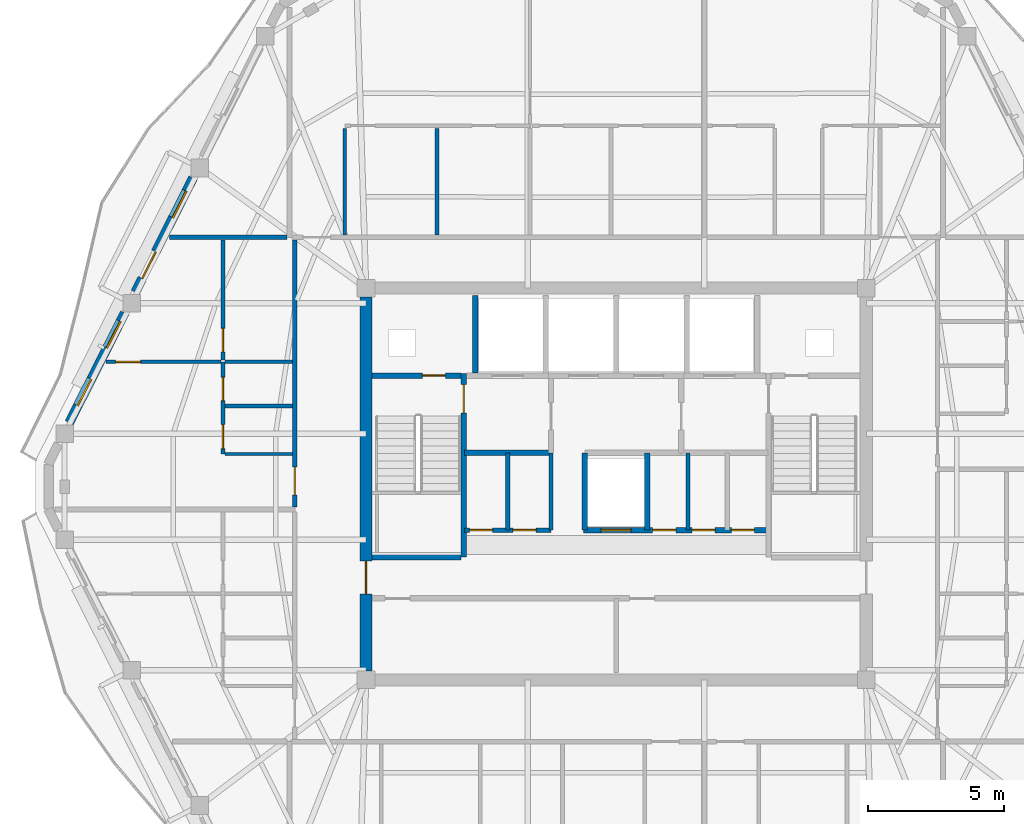
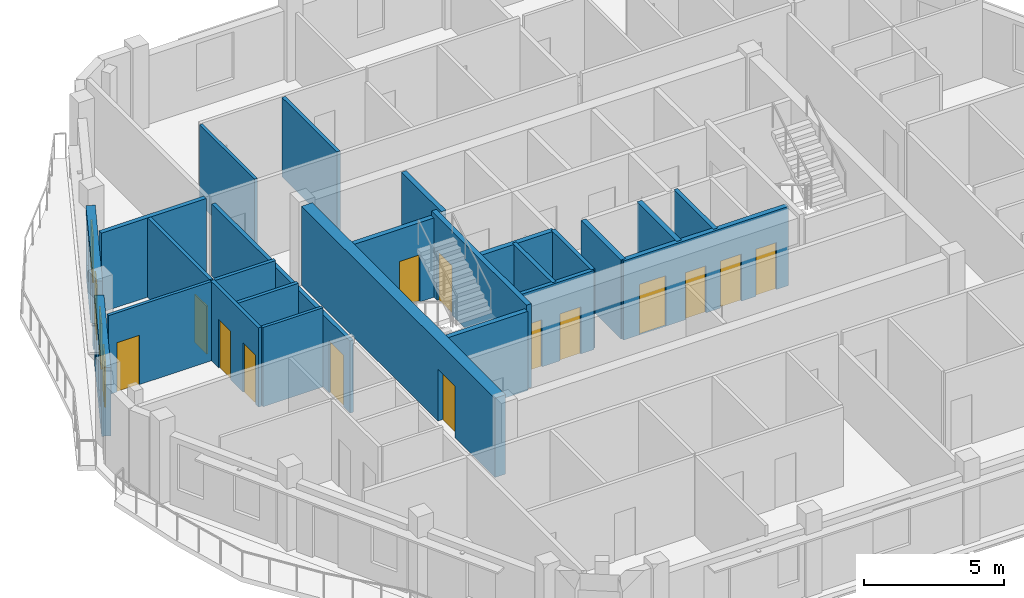
# One storey, part 5 of 11: 25 walls, 15 doors, 3 windows, 18 openings.
"""IFC4 building model written with IfcOpenShell, lengths in metres."""

from ifc_helpers import new_model, si_unit, direction, frame, frame_2d, origin, place, context, subcontext, project, spatial, rectangle, extrude, material, layer, layer_set, type_object, element, fill, save


model = new_model("IFC4")

# Units and contexts
model_context = context("Model", 3, precision=1e-05, world=origin(), true_north=direction((0.0, 1.0)))
body_context = subcontext(model_context, "Body", "Model", "MODEL_VIEW")
ifc_project = project(units=[si_unit("LENGTHUNIT", "METRE"), si_unit("AREAUNIT", "SQUARE_METRE"), si_unit("VOLUMEUNIT", "CUBIC_METRE"), si_unit("PLANEANGLEUNIT", "RADIAN"), si_unit("MASSUNIT", "GRAM", prefix="KILO")], contexts=[model_context])

# Site, building, storey
site_placement = place(None, origin())
site = spatial("IfcSite", under=ifc_project, at=site_placement, CompositionType="ELEMENT")
building_placement = place(site_placement, origin())
building = spatial("IfcBuilding", under=site, at=building_placement, Name="Cinnabar Lancet Tower", CompositionType="ELEMENT")
storey_placement = place(building_placement, frame((0.0, 0.0, 259.85009765625)))
storey = spatial("IfcBuildingStorey", under=building, at=storey_placement, Name="L69", CompositionType="ELEMENT", Elevation=259.85009765625)

# Wall, openings, doors
ifc_material_1 = material(Name="Acoustic twin-stud gypsum partition", Category="gypsum")
ifc_layer_1 = layer(ifc_material_1, 0.159912109375)
ifc_layer_set_1 = layer_set([ifc_layer_1], Name="Acoustic twin-stud gypsum partition")
wall_type_1 = type_object("IfcWallType", Name="ARC-WL-CORR-160", PredefinedType="PARTITIONING", material=ifc_layer_set_1)
wall_1_placement = place(storey_placement, frame((26.800048828125, 24.199951171875, 0.0), z_axis=(0.0, 0.0, 1.0), x_axis=(1.0, 0.0, 0.0)))
wall_1 = element("IfcWall", 1, at=wall_1_placement, inside=storey, type_object=wall_type_1, Name="CW-REC5S-L69", PredefinedType="PARTITIONING", context=body_context, shape_type="SweptSolid", body=[
    extrude(rectangle(XDim=3.199951171875, YDim=0.159912109375, at=frame_2d((1.60009765625, 0.0))), origin(), (0.0, 0.0, 1.0), 3.449951171875),
])
opening_1_placement = place(wall_1_placement, frame((0.199951171875, 0.0, 0.0)))
opening_1 = element("IfcOpeningElement", 2, at=opening_1_placement, cuts=wall_1, Name="Opening PD-02", PredefinedType="OPENING", context=body_context, shape_type="SweptSolid", body=[
    extrude(rectangle(XDim=0.85009765625, YDim=2.050048828125, at=frame_2d((0.425048828125, 1.02490234375))), frame((0.0, 0.08984375, 0.0), z_axis=(0.0, -1.0, 0.0), x_axis=(1.0, 0.0, 0.0)), (0.0, 0.0, 1.0), 0.179931640625),
])
opening_2_placement = place(wall_1_placement, frame((1.800048828125, 0.0, 0.0)))
opening_2 = element("IfcOpeningElement", 3, at=opening_2_placement, cuts=wall_1, Name="Opening PD-02", PredefinedType="OPENING", context=body_context, shape_type="SweptSolid", body=[
    extrude(rectangle(XDim=0.85009765625, YDim=2.050048828125, at=frame_2d((0.425048828125, 1.02490234375))), frame((0.0, 0.08984375, 0.0), z_axis=(0.0, -1.0, 0.0), x_axis=(1.0, 0.0, 0.0)), (0.0, 0.0, 1.0), 0.179931640625),
])
ifc_material_2 = material(Name="Fire-rated steel riser access door", Category="steel")
door_type_1 = type_object("IfcDoorType", Name="ARC-DR-RISER", OperationType="NOTDEFINED", PredefinedType="DOOR", material=ifc_material_2)
door_1_placement = place(opening_1_placement, origin())
door_1 = element("IfcDoor", 4, at=door_1_placement, inside=storey, type_object=door_type_1, Name="DR-L69-REC5A", OperationType="SINGLE_SWING_LEFT", OverallHeight=2.050048828125, OverallWidth=0.85009765625, PredefinedType="DOOR", context=body_context, shape_type="SweptSolid", body=[
    extrude(rectangle(XDim=0.85009765625, YDim=2.050048828125, at=frame_2d((0.425048828125, 1.02490234375))), frame((0.0, 0.02490234375, 0.0), z_axis=(0.0, -1.0, 0.0), x_axis=(1.0, 0.0, 0.0)), (0.0, 0.0, 1.0), 0.050048828125),
])
fill(opening_1, door_1)
door_2_placement = place(opening_2_placement, origin())
door_2 = element("IfcDoor", 5, at=door_2_placement, inside=storey, type_object=door_type_1, Name="DR-L69-REC5B", OperationType="SINGLE_SWING_RIGHT", OverallHeight=2.050048828125, OverallWidth=0.85009765625, PredefinedType="DOOR", context=body_context, shape_type="SweptSolid", body=[
    extrude(rectangle(XDim=0.85009765625, YDim=2.050048828125, at=frame_2d((0.425048828125, 1.02490234375))), frame((0.0, 0.02490234375, 0.0), z_axis=(0.0, -1.0, 0.0), x_axis=(1.0, 0.0, 0.0)), (0.0, 0.0, 1.0), 0.050048828125),
])
fill(opening_2, door_2)

# Walls
for number, where, z_axis, x_axis, name in (
    (6, (30.0, 24.199951171875, 0.0), (0.0, 0.0, 1.0), (0.0, 1.0, 0.0), "CW-REC5E-L69"),
    (7, (28.39990234375, 24.199951171875, 0.0), (0.0, 0.0, 1.0), (0.0, 1.0, 0.0), "CW-REC5D0-L69"),
    (8, (35.050048828125, 24.199951171875, 0.0), (0.0, 0.0, 1.0), (0.0, 1.0, 0.0), "CW-REC6D1-L69"),
):
    element("IfcWall", number, at=place(storey_placement, frame(where, z_axis=z_axis, x_axis=x_axis)), inside=storey, type_object=wall_type_1, Name=name, PredefinedType="PARTITIONING", context=body_context, shape_type="SweptSolid", body=[
        extrude(rectangle(XDim=2.85009765625, YDim=0.159912109375, at=frame_2d((1.425048828125, 0.0))), origin(), (0.0, 0.0, 1.0), 3.449951171875),
    ])

# Wall, opening, door
wall_2_placement = place(storey_placement, frame((20.550048828125, 25.051025390625, 0.0), z_axis=(0.0, 0.0, 1.0), x_axis=(0.0, 1.0, 0.0)))
wall_2 = element("IfcWall", 9, at=wall_2_placement, inside=storey, type_object=wall_type_1, Name="UW-L69-W02-COR", PredefinedType="PARTITIONING", context=body_context, shape_type="SweptSolid", body=[
    extrude(rectangle(XDim=9.85400390625, YDim=0.159912109375, at=frame_2d((4.927001953125, 0.0))), origin(), (0.0, 0.0, 1.0), 3.136962890625),
])
opening_3_placement = place(wall_2_placement, frame((0.449951171875, 0.0, 0.0)))
opening_3 = element("IfcOpeningElement", 10, at=opening_3_placement, cuts=wall_2, Name="Opening UD-01", PredefinedType="OPENING", context=body_context, shape_type="SweptSolid", body=[
    extrude(rectangle(XDim=1.02001953125, YDim=2.25, at=frame_2d((0.510009765625, 1.125))), frame((0.0, 0.08984375, 0.0), z_axis=(0.0, -1.0, 0.0), x_axis=(1.0, 0.0, 0.0)), (0.0, 0.0, 1.0), 0.179931640625),
])
ifc_material_3 = material(Name="Solid timber fire-rated apartment entrance door", Category="wood")
door_type_2 = type_object("IfcDoorType", Name="ARC-DR-UNIT", OperationType="NOTDEFINED", PredefinedType="DOOR", material=ifc_material_3)
door_3_placement = place(opening_3_placement, origin())
door_3 = element("IfcDoor", 11, at=door_3_placement, inside=storey, type_object=door_type_2, Name="DR-L69-W02-ENT", OperationType="SINGLE_SWING_LEFT", OverallHeight=2.25, OverallWidth=1.02001953125, PredefinedType="DOOR", context=body_context, shape_type="SweptSolid", body=[
    extrude(rectangle(XDim=1.02001953125, YDim=2.25, at=frame_2d((0.510009765625, 1.125))), frame((0.0, 0.02490234375, 0.0), z_axis=(0.0, -1.0, 0.0), x_axis=(1.0, 0.0, 0.0)), (0.0, 0.0, 1.0), 0.050048828125),
])
fill(opening_3, door_3)

# Walls
ifc_material_4 = material(Name="Fire-rated twin-frame acoustic drywall", Category="gypsum")
ifc_layer_2 = layer(ifc_material_4, 0.179931640625)
ifc_layer_set_2 = layer_set([ifc_layer_2], Name="Fire-rated twin-frame acoustic drywall")
wall_type_2 = type_object("IfcWallType", Name="ARC-WL-PARTY-180", PredefinedType="PARTITIONING", material=ifc_layer_set_2)
wall_3_placement = place(storey_placement, frame((15.93310546875, 35.0, 0.0), z_axis=(0.0, 0.0, 1.0), x_axis=(1.0, 0.0, 0.0)))
element("IfcWall", 12, at=wall_3_placement, inside=storey, type_object=wall_type_2, Name="PW-L69-WNB", PredefinedType="PARTITIONING", context=body_context, shape_type="SweptSolid", body=[
    extrude(rectangle(XDim=4.32177734375, YDim=0.179931640625, at=frame_2d((2.160888671875, 0.0))), origin(), (0.0, 0.0, 1.0), 3.449951171875),
])
ifc_material_5 = material(Name="Autoclaved aerated concrete blockwork", Category="masonry")
ifc_layer_3 = layer(ifc_material_5, 0.199951171875)
ifc_layer_set_3 = layer_set([ifc_layer_3], Name="Autoclaved aerated concrete blockwork")
wall_type_3 = type_object("IfcWallType", Name="ARC-WL-SHAFT-200", PredefinedType="PLUMBINGWALL", material=ifc_layer_set_3)
wall_4_placement = place(storey_placement, frame((23.405029296875, 23.199951171875, 0.0), z_axis=(0.0, 0.0, 1.0), x_axis=(1.0, 0.0, 0.0)))
element("IfcWall", 13, at=wall_4_placement, inside=storey, type_object=wall_type_3, Name="CW-ST1S-L69", PredefinedType="PLUMBINGWALL", context=body_context, shape_type="SweptSolid", body=[
    extrude(rectangle(XDim=3.27001953125, YDim=0.199951171875, at=frame_2d((1.635009765625, 0.0))), origin(), (0.0, 0.0, 1.0), 3.449951171875),
])

# Wall, opening, door
wall_5_placement = place(storey_placement, frame((23.405029296875, 29.89990234375, 0.0), z_axis=(0.0, 0.0, 1.0), x_axis=(1.0, 0.0, 0.0)))
wall_5 = element("IfcWall", 14, at=wall_5_placement, inside=storey, type_object=wall_type_3, Name="CW-NSH-W-L69", PredefinedType="PLUMBINGWALL", context=body_context, shape_type="SweptSolid", body=[
    extrude(rectangle(XDim=3.27001953125, YDim=0.199951171875, at=frame_2d((1.635009765625, 0.0))), origin(), (0.0, 0.0, 1.0), 3.449951171875),
])
opening_4_placement = place(wall_5_placement, frame((1.85009765625, 0.0, 0.0)))
opening_4 = element("IfcOpeningElement", 15, at=opening_4_placement, cuts=wall_5, Name="Opening PD-02", PredefinedType="OPENING", context=body_context, shape_type="SweptSolid", body=[
    extrude(rectangle(XDim=0.85009765625, YDim=2.050048828125, at=frame_2d((0.425048828125, 1.02490234375))), frame((0.0, 0.10986328125, 0.0), z_axis=(0.0, -1.0, 0.0), x_axis=(1.0, 0.0, 0.0)), (0.0, 0.0, 1.0), 0.219970703125),
])
door_4_placement = place(opening_4_placement, origin())
door_4 = element("IfcDoor", 16, at=door_4_placement, inside=storey, type_object=door_type_1, Name="L69 West Riser Access Door", OperationType="SINGLE_SWING_LEFT", OverallHeight=2.050048828125, OverallWidth=0.85009765625, PredefinedType="DOOR", context=body_context, shape_type="SweptSolid", body=[
    extrude(rectangle(XDim=0.85009765625, YDim=2.050048828125, at=frame_2d((0.425048828125, 1.02490234375))), frame((0.0, 0.02490234375, 0.0), z_axis=(0.0, -1.0, 0.0), x_axis=(1.0, 0.0, 0.0)), (0.0, 0.0, 1.0), 0.050048828125),
])
fill(opening_4, door_4)

# Walls
wall_6_placement = place(storey_placement, frame((27.199951171875, 30.0, 0.0), z_axis=(0.0, 0.0, 1.0), x_axis=(0.0, 1.0, 0.0)))
element("IfcWall", 17, at=wall_6_placement, inside=storey, type_object=wall_type_3, Name="CW-NSH-D1-L69", PredefinedType="PLUMBINGWALL", context=body_context, shape_type="SweptSolid", body=[
    extrude(rectangle(XDim=2.85009765625, YDim=0.199951171875, at=frame_2d((1.425048828125, 0.0))), origin(), (0.0, 0.0, 1.0), 3.449951171875),
])
wall_7_placement = place(storey_placement, frame((26.800048828125, 27.050048828125, 0.0), z_axis=(0.0, 0.0, 1.0), x_axis=(1.0, 0.0, 0.0)))
element("IfcWall", 18, at=wall_7_placement, inside=storey, type_object=wall_type_3, Name="CW-FF1S-L69", PredefinedType="PLUMBINGWALL", context=body_context, shape_type="SweptSolid", body=[
    extrude(rectangle(XDim=3.199951171875, YDim=0.199951171875, at=frame_2d((1.60009765625, 0.0))), origin(), (0.0, 0.0, 1.0), 3.449951171875),
])

# Wall, openings, doors
wall_8_placement = place(storey_placement, frame((31.199951171875, 24.199951171875, 0.0), z_axis=(0.0, 0.0, 1.0), x_axis=(1.0, 0.0, 0.0)))
wall_8 = element("IfcWall", 19, at=wall_8_placement, inside=storey, type_object=wall_type_3, Name="CW-PL96S-L69", PredefinedType="PLUMBINGWALL", context=body_context, shape_type="SweptSolid", body=[
    extrude(rectangle(XDim=6.800048828125, YDim=0.199951171875, at=frame_2d((3.39990234375, 0.0))), origin(), (0.0, 0.0, 1.0), 3.449951171875),
])
opening_5_placement = place(wall_8_placement, frame((0.64990234375, 0.0, 0.0)))
opening_5 = element("IfcOpeningElement", 20, at=opening_5_placement, cuts=wall_8, Name="Opening LD-01", PredefinedType="OPENING", context=body_context, shape_type="SweptSolid", body=[
    extrude(rectangle(XDim=1.10009765625, YDim=2.199951171875, at=frame_2d((0.550048828125, 1.10009765625))), frame((0.0, 0.10986328125, 0.0), z_axis=(0.0, -1.0, 0.0), x_axis=(1.0, 0.0, 0.0)), (0.0, 0.0, 1.0), 0.219970703125),
])
opening_6_placement = place(wall_8_placement, frame((2.550048828125, 0.0, 0.0)))
opening_6 = element("IfcOpeningElement", 21, at=opening_6_placement, cuts=wall_8, Name="Opening PD-02", PredefinedType="OPENING", context=body_context, shape_type="SweptSolid", body=[
    extrude(rectangle(XDim=0.85009765625, YDim=2.050048828125, at=frame_2d((0.425048828125, 1.02490234375))), frame((0.0, 0.10986328125, 0.0), z_axis=(0.0, -1.0, 0.0), x_axis=(1.0, 0.0, 0.0)), (0.0, 0.0, 1.0), 0.219970703125),
])
opening_7_placement = place(wall_8_placement, frame((4.0, 0.0, 0.0)))
opening_7 = element("IfcOpeningElement", 22, at=opening_7_placement, cuts=wall_8, Name="Opening PD-02", PredefinedType="OPENING", context=body_context, shape_type="SweptSolid", body=[
    extrude(rectangle(XDim=0.85009765625, YDim=2.050048828125, at=frame_2d((0.425048828125, 1.02490234375))), frame((0.0, 0.10986328125, 0.0), z_axis=(0.0, -1.0, 0.0), x_axis=(1.0, 0.0, 0.0)), (0.0, 0.0, 1.0), 0.219970703125),
])
opening_8_placement = place(wall_8_placement, frame((5.449951171875, 0.0, 0.0)))
opening_8 = element("IfcOpeningElement", 23, at=opening_8_placement, cuts=wall_8, Name="Opening PD-02", PredefinedType="OPENING", context=body_context, shape_type="SweptSolid", body=[
    extrude(rectangle(XDim=0.85009765625, YDim=2.050048828125, at=frame_2d((0.425048828125, 1.02490234375))), frame((0.0, 0.10986328125, 0.0), z_axis=(0.0, -1.0, 0.0), x_axis=(1.0, 0.0, 0.0)), (0.0, 0.0, 1.0), 0.219970703125),
])
ifc_material_6 = material(Name="Brushed stainless steel sliding lift door", Category="steel")
door_type_3 = type_object("IfcDoorType", Name="ARC-DR-LD-PASS", OperationType="NOTDEFINED", PredefinedType="DOOR", material=ifc_material_6)
door_5_placement = place(opening_5_placement, origin())
door_5 = element("IfcDoor", 24, at=door_5_placement, inside=storey, type_object=door_type_3, Name="L69 Lift PL-9 Landing Door", OperationType="DOUBLE_DOOR_SLIDING", OverallHeight=2.199951171875, OverallWidth=1.10009765625, PredefinedType="DOOR", context=body_context, shape_type="SweptSolid", body=[
    extrude(rectangle(XDim=1.10009765625, YDim=2.199951171875, at=frame_2d((0.550048828125, 1.10009765625))), frame((0.0, 0.02490234375, 0.0), z_axis=(0.0, -1.0, 0.0), x_axis=(1.0, 0.0, 0.0)), (0.0, 0.0, 1.0), 0.050048828125),
])
fill(opening_5, door_5)
door_6_placement = place(opening_6_placement, origin())
door_6 = element("IfcDoor", 25, at=door_6_placement, inside=storey, type_object=door_type_1, Name="DR-L69-REC6A", OperationType="SINGLE_SWING_LEFT", OverallHeight=2.050048828125, OverallWidth=0.85009765625, PredefinedType="DOOR", context=body_context, shape_type="SweptSolid", body=[
    extrude(rectangle(XDim=0.85009765625, YDim=2.050048828125, at=frame_2d((0.425048828125, 1.02490234375))), frame((0.0, 0.02490234375, 0.0), z_axis=(0.0, -1.0, 0.0), x_axis=(1.0, 0.0, 0.0)), (0.0, 0.0, 1.0), 0.050048828125),
])
fill(opening_6, door_6)
door_7_placement = place(opening_7_placement, origin())
door_7 = element("IfcDoor", 26, at=door_7_placement, inside=storey, type_object=door_type_1, Name="DR-L69-REC6B", OperationType="SINGLE_SWING_RIGHT", OverallHeight=2.050048828125, OverallWidth=0.85009765625, PredefinedType="DOOR", context=body_context, shape_type="SweptSolid", body=[
    extrude(rectangle(XDim=0.85009765625, YDim=2.050048828125, at=frame_2d((0.425048828125, 1.02490234375))), frame((0.0, 0.02490234375, 0.0), z_axis=(0.0, -1.0, 0.0), x_axis=(1.0, 0.0, 0.0)), (0.0, 0.0, 1.0), 0.050048828125),
])
fill(opening_7, door_7)
door_8_placement = place(opening_8_placement, origin())
door_8 = element("IfcDoor", 27, at=door_8_placement, inside=storey, type_object=door_type_1, Name="DR-L69-REC6C", OperationType="SINGLE_SWING_LEFT", OverallHeight=2.050048828125, OverallWidth=0.85009765625, PredefinedType="DOOR", context=body_context, shape_type="SweptSolid", body=[
    extrude(rectangle(XDim=0.85009765625, YDim=2.050048828125, at=frame_2d((0.425048828125, 1.02490234375))), frame((0.0, 0.02490234375, 0.0), z_axis=(0.0, -1.0, 0.0), x_axis=(1.0, 0.0, 0.0)), (0.0, 0.0, 1.0), 0.050048828125),
])
fill(opening_8, door_8)

# Walls
for number, where, z_axis, x_axis, name in (
    (28, (31.25, 24.199951171875, 0.0), (0.0, 0.0, 1.0), (0.0, 1.0, 0.0), "CW-PL9W-L69"),
    (29, (33.550048828125, 24.199951171875, 0.0), (0.0, 0.0, 1.0), (0.0, 1.0, 0.0), "CW-PL9E-L69"),
):
    element("IfcWall", number, at=place(storey_placement, frame(where, z_axis=z_axis, x_axis=x_axis)), inside=storey, type_object=wall_type_3, Name=name, PredefinedType="PLUMBINGWALL", context=body_context, shape_type="SweptSolid", body=[
        extrude(rectangle(XDim=2.85009765625, YDim=0.199951171875, at=frame_2d((1.425048828125, 0.0))), origin(), (0.0, 0.0, 1.0), 3.449951171875),
    ])
ifc_material_7 = material(Name="Gypsum plasterboard stud partition", Category="gypsum")
ifc_layer_4 = layer(ifc_material_7, 0.125)
ifc_layer_set_4 = layer_set([ifc_layer_4], Name="Gypsum plasterboard stud partition")
wall_type_4 = type_object("IfcWallType", Name="ARC-WL-UNIT-125", PredefinedType="PARTITIONING", material=ifc_layer_set_4)
wall_9_placement = place(storey_placement, frame((22.39990234375, 35.0849609375, 0.0), z_axis=(0.0, 0.0, 1.0), x_axis=(0.0, 1.0, 0.0)))
element("IfcWall", 30, at=wall_9_placement, inside=storey, type_object=wall_type_4, Name="UW-L69-N01-FOYE", PredefinedType="PARTITIONING", context=body_context, shape_type="SweptSolid", body=[
    extrude(rectangle(XDim=3.925048828125, YDim=0.125, at=frame_2d((1.96240234375, 0.0))), origin(), (0.0, 0.0, 1.0), 3.449951171875),
])
wall_10_placement = place(storey_placement, frame((17.985107421875, 27.006103515625, 0.0), z_axis=(0.0, 0.0, 1.0), x_axis=(1.0, 0.0, 0.0)))
element("IfcWall", 31, at=wall_10_placement, inside=storey, type_object=wall_type_4, Name="UW-L69-W02-FOYN", PredefinedType="PARTITIONING", context=body_context, shape_type="SweptSolid", body=[
    extrude(rectangle(XDim=2.47998046875, YDim=0.125, at=frame_2d((1.239990234375, 0.0))), origin(), (0.0, 0.0, 1.0), 3.449951171875),
])

# Wall, opening, door
wall_11_placement = place(storey_placement, frame((13.593994140625, 30.406005859375, 0.0), z_axis=(0.0, 0.0, 1.0), x_axis=(1.0, 0.0, 0.0)))
wall_11 = element("IfcWall", 32, at=wall_11_placement, inside=storey, type_object=wall_type_4, Name="UW-L69-W02-MBN", PredefinedType="PARTITIONING", context=body_context, shape_type="SweptSolid", body=[
    extrude(rectangle(XDim=4.23095703125, YDim=0.125, at=frame_2d((2.115478515625, 0.0))), origin(), (0.0, 0.0, 1.0), 3.449951171875),
])
opening_9_placement = place(wall_11_placement, frame((0.35009765625, 0.0, 0.0)))
opening_9 = element("IfcOpeningElement", 33, at=opening_9_placement, cuts=wall_11, Name="Opening RD-01", PredefinedType="OPENING", context=body_context, shape_type="SweptSolid", body=[
    extrude(rectangle(XDim=0.919921875, YDim=2.14990234375, at=frame_2d((0.4599609375, 1.074951171875))), frame((0.0, 0.072509765625, 0.0), z_axis=(0.0, -1.0, 0.0), x_axis=(1.0, 0.0, 0.0)), (0.0, 0.0, 1.0), 0.14501953125),
])
ifc_material_8 = material(Name="Engineered timber bedroom door", Category="wood")
door_type_4 = type_object("IfcDoorType", Name="ARC-DR-ROOM", OperationType="NOTDEFINED", PredefinedType="DOOR", material=ifc_material_8)
door_9_placement = place(opening_9_placement, origin())
door_9 = element("IfcDoor", 34, at=door_9_placement, inside=storey, type_object=door_type_4, Name="DR-L69-W02-MBD", OperationType="SINGLE_SWING_LEFT", OverallHeight=2.14990234375, OverallWidth=0.919921875, PredefinedType="DOOR", context=body_context, shape_type="SweptSolid", body=[
    extrude(rectangle(XDim=0.919921875, YDim=2.14990234375, at=frame_2d((0.4599609375, 1.074951171875))), frame((0.0, 0.02490234375, 0.0), z_axis=(0.0, -1.0, 0.0), x_axis=(1.0, 0.0, 0.0)), (0.0, 0.0, 1.0), 0.050048828125),
])
fill(opening_9, door_9)

# Wall
ifc_material_9 = material(Name="Moisture-resistant cement-board plumbing wall", Category="masonry")
ifc_layer_5 = layer(ifc_material_9, 0.139892578125)
ifc_layer_set_5 = layer_set([ifc_layer_5], Name="Moisture-resistant cement-board plumbing wall")
wall_type_5 = type_object("IfcWallType", Name="ARC-WL-WET-140", PredefinedType="PLUMBINGWALL", material=ifc_layer_set_5)
wall_12_placement = place(storey_placement, frame((25.800048828125, 35.0849609375, 0.0), z_axis=(0.0, 0.0, 1.0), x_axis=(0.0, 1.0, 0.0)))
element("IfcWall", 35, at=wall_12_placement, inside=storey, type_object=wall_type_5, Name="UW-L69-N01-KBD", PredefinedType="PLUMBINGWALL", context=body_context, shape_type="SweptSolid", body=[
    extrude(rectangle(XDim=3.925048828125, YDim=0.139892578125, at=frame_2d((1.96240234375, 0.0))), origin(), (0.0, 0.0, 1.0), 3.449951171875),
])

# Wall, openings, doors
wall_13_placement = place(storey_placement, frame((17.89990234375, 27.006103515625, 0.0), z_axis=(0.0, 0.0, 1.0), x_axis=(0.0, 1.0, 0.0)))
wall_13 = element("IfcWall", 36, at=wall_13_placement, inside=storey, type_object=wall_type_5, Name="UW-L69-W02-SPL", PredefinedType="PLUMBINGWALL", context=body_context, shape_type="SweptSolid", body=[
    extrude(rectangle(XDim=3.39990234375, YDim=0.139892578125, at=frame_2d((1.699951171875, 0.0))), origin(), (0.0, 0.0, 1.0), 3.449951171875),
])
opening_10_placement = place(wall_13_placement, frame((0.199951171875, 0.0, 0.0)))
opening_10 = element("IfcOpeningElement", 37, at=opening_10_placement, cuts=wall_13, Name="Opening RD-02", PredefinedType="OPENING", context=body_context, shape_type="SweptSolid", body=[
    extrude(rectangle(XDim=0.8798828125, YDim=2.14990234375, at=frame_2d((0.43994140625, 1.074951171875))), frame((0.0, 0.079833984375, 0.0), z_axis=(0.0, -1.0, 0.0), x_axis=(1.0, 0.0, 0.0)), (0.0, 0.0, 1.0), 0.159912109375),
])
opening_11_placement = place(wall_13_placement, frame((1.968017578125, 0.0, 0.0)))
opening_11 = element("IfcOpeningElement", 38, at=opening_11_placement, cuts=wall_13, Name="Opening BD-01", PredefinedType="OPENING", context=body_context, shape_type="SweptSolid", body=[
    extrude(rectangle(XDim=0.860107421875, YDim=2.10009765625, at=frame_2d((0.43017578125, 1.050048828125))), frame((0.0, 0.079833984375, 0.0), z_axis=(0.0, -1.0, 0.0), x_axis=(1.0, 0.0, 0.0)), (0.0, 0.0, 1.0), 0.159912109375),
])
ifc_material_10 = material(Name="Moisture-resistant timber bathroom door", Category="wood")
door_type_5 = type_object("IfcDoorType", Name="ARC-DR-BATH", OperationType="NOTDEFINED", PredefinedType="DOOR", material=ifc_material_10)
door_10_placement = place(opening_11_placement, origin())
door_10 = element("IfcDoor", 39, at=door_10_placement, inside=storey, type_object=door_type_5, Name="DR-L69-W02-BTH", OperationType="SINGLE_SWING_LEFT", OverallHeight=2.10009765625, OverallWidth=0.860107421875, PredefinedType="DOOR", context=body_context, shape_type="SweptSolid", body=[
    extrude(rectangle(XDim=0.860107421875, YDim=2.10009765625, at=frame_2d((0.43017578125, 1.050048828125))), frame((0.0, 0.02490234375, 0.0), z_axis=(0.0, -1.0, 0.0), x_axis=(1.0, 0.0, 0.0)), (0.0, 0.0, 1.0), 0.050048828125),
])
fill(opening_11, door_10)
ifc_material_11 = material(Name="Engineered timber study door", Category="wood")
door_type_6 = type_object("IfcDoorType", Name="ARC-DR-STUDY", OperationType="NOTDEFINED", PredefinedType="DOOR", material=ifc_material_11)
door_11_placement = place(opening_10_placement, origin())
door_11 = element("IfcDoor", 40, at=door_11_placement, inside=storey, type_object=door_type_6, Name="DR-L69-W02-KIT", OperationType="SINGLE_SWING_RIGHT", OverallHeight=2.14990234375, OverallWidth=0.8798828125, PredefinedType="DOOR", context=body_context, shape_type="SweptSolid", body=[
    extrude(rectangle(XDim=0.8798828125, YDim=2.14990234375, at=frame_2d((0.43994140625, 1.074951171875))), frame((0.0, 0.02490234375, 0.0), z_axis=(0.0, -1.0, 0.0), x_axis=(1.0, 0.0, 0.0)), (0.0, 0.0, 1.0), 0.050048828125),
])
fill(opening_10, door_11)

# Wall, opening, door
wall_14_placement = place(storey_placement, frame((17.89990234375, 30.47607421875, 0.0), z_axis=(0.0, 0.0, 1.0), x_axis=(0.0, 1.0, 0.0)))
wall_14 = element("IfcWall", 41, at=wall_14_placement, inside=storey, type_object=wall_type_5, Name="UW-L69-W02-SPM", PredefinedType="PLUMBINGWALL", context=body_context, shape_type="SweptSolid", body=[
    extrude(rectangle(XDim=4.428955078125, YDim=0.139892578125, at=frame_2d((2.21435546875, 0.0))), origin(), (0.0, 0.0, 1.0), 3.449951171875),
])
opening_12_placement = place(wall_14_placement, frame((0.300048828125, 0.0, 0.0)))
opening_12 = element("IfcOpeningElement", 42, at=opening_12_placement, cuts=wall_14, Name="Opening BD-01", PredefinedType="OPENING", context=body_context, shape_type="SweptSolid", body=[
    extrude(rectangle(XDim=0.860107421875, YDim=2.10009765625, at=frame_2d((0.43017578125, 1.050048828125))), frame((0.0, 0.079833984375, 0.0), z_axis=(0.0, -1.0, 0.0), x_axis=(1.0, 0.0, 0.0)), (0.0, 0.0, 1.0), 0.159912109375),
])
door_12_placement = place(opening_12_placement, origin())
door_12 = element("IfcDoor", 43, at=door_12_placement, inside=storey, type_object=door_type_5, Name="DR-L69-W02-ENS", OperationType="SINGLE_SWING_LEFT", OverallHeight=2.10009765625, OverallWidth=0.860107421875, PredefinedType="DOOR", context=body_context, shape_type="SweptSolid", body=[
    extrude(rectangle(XDim=0.860107421875, YDim=2.10009765625, at=frame_2d((0.43017578125, 1.050048828125))), frame((0.0, 0.02490234375, 0.0), z_axis=(0.0, -1.0, 0.0), x_axis=(1.0, 0.0, 0.0)), (0.0, 0.0, 1.0), 0.050048828125),
])
fill(opening_12, door_12)

# Walls
for number, where, z_axis, x_axis, name in (
    (44, (17.985107421875, 30.406005859375, 0.0), (0.0, 0.0, 1.0), (1.0, 0.0, 0.0), "UW-L69-W02-ENSN"),
    (45, (17.985107421875, 28.77392578125, 0.0), (0.0, 0.0, 1.0), (1.0, 0.0, 0.0), "UW-L69-W02-KDV"),
):
    element("IfcWall", number, at=place(storey_placement, frame(where, z_axis=z_axis, x_axis=x_axis)), inside=storey, type_object=wall_type_5, Name=name, PredefinedType="PLUMBINGWALL", context=body_context, shape_type="SweptSolid", body=[
        extrude(rectangle(XDim=2.47998046875, YDim=0.139892578125, at=frame_2d((1.239990234375, 0.0))), origin(), (0.0, 0.0, 1.0), 3.449951171875),
    ])

# Wall, openings, door, window
ifc_material_12 = material(Name="Cinnabar red clay brick", Category="masonry")
ifc_layer_6 = layer(ifc_material_12, 0.340087890625)
ifc_layer_set_6 = layer_set([ifc_layer_6], Name="Cinnabar red clay brick")
wall_type_6 = type_object("IfcWallType", Name="ENV-WL-BRK-RED-340", PredefinedType="STANDARD", material=ifc_layer_set_6)
wall_15_placement = place(storey_placement, frame((16.798095703125, 37.18701171875, 0.0), z_axis=(0.0, 0.0, 1.0), x_axis=(-0.451447516904, -0.892297674255, 0.0)))
wall_15 = element("IfcWall", 46, at=wall_15_placement, inside=storey, type_object=wall_type_6, Name="L69 Face 5 Masonry Bay Wall 3", PredefinedType="STANDARD", context=body_context, shape_type="SweptSolid", body=[
    extrude(rectangle(XDim=4.72265625, YDim=0.340087890625, at=frame_2d((2.361328125, 0.0))), origin(), (0.0, 0.0, 1.0), 2.98291015625),
])
opening_13_placement = place(wall_15_placement, frame((3.052978515625, 0.0, 0.0)))
opening_13 = element("IfcOpeningElement", 47, at=opening_13_placement, cuts=wall_15, Name="Opening TD-01", PredefinedType="OPENING", context=body_context, shape_type="SweptSolid", body=[
    extrude(rectangle(XDim=1.10009765625, YDim=2.25, at=frame_2d((0.550048828125, 1.125))), frame((0.0, 0.179931640625, 0.0), z_axis=(0.0, -1.0, 0.0), x_axis=(1.0, 0.0, 0.0)), (0.0, 0.0, 1.0), 0.360107421875),
])
opening_14_placement = place(wall_15_placement, frame((0.5458984375, 0.0, 0.75)))
opening_14 = element("IfcOpeningElement", 48, at=opening_14_placement, cuts=wall_15, Name="Opening WN-04", PredefinedType="OPENING", context=body_context, shape_type="SweptSolid", body=[
    extrude(rectangle(XDim=1.10009765625, YDim=2.0, at=frame_2d((0.550048828125, 1.0))), frame((0.0, 0.179931640625, 0.0), z_axis=(0.0, -1.0, 0.0), x_axis=(1.0, 0.0, 0.0)), (0.0, 0.0, 1.0), 0.360107421875),
])
ifc_material_13 = material(Name="Thermally broken low-E glazed balcony terrace door", Category="wood")
door_type_7 = type_object("IfcDoorType", Name="ARC-DR-BALC", OperationType="NOTDEFINED", PredefinedType="DOOR", material=ifc_material_13)
door_13_placement = place(opening_13_placement, origin())
door_13 = element("IfcDoor", 49, at=door_13_placement, inside=storey, type_object=door_type_7, Name="L69 Face 5 Glazed Terrace Door", OperationType="SINGLE_SWING_LEFT", OverallHeight=2.25, OverallWidth=1.10009765625, PredefinedType="DOOR", context=body_context, shape_type="SweptSolid", body=[
    extrude(rectangle(XDim=1.10009765625, YDim=2.25, at=frame_2d((0.550048828125, 1.125))), frame((0.0, 0.02490234375, 0.0), z_axis=(0.0, -1.0, 0.0), x_axis=(1.0, 0.0, 0.0)), (0.0, 0.0, 1.0), 0.050048828125),
])
fill(opening_13, door_13)
ifc_material_14 = material(Name="Thermally broken bronze-anodized aluminium tall lancet window", Category="aluminium")
window_type = type_object("IfcWindowType", Name="ENV-WN-LANCET-1100", PartitioningType="SINGLE_PANEL", PredefinedType="WINDOW", material=ifc_material_14)
window_1_placement = place(opening_14_placement, origin())
window_1 = element("IfcWindow", 50, at=window_1_placement, inside=storey, type_object=window_type, Name="L69 Split-Bay Gothic Lancet Window 254", OverallHeight=2.0, OverallWidth=1.10009765625, PartitioningType="SINGLE_PANEL", PredefinedType="WINDOW", context=body_context, shape_type="SweptSolid", body=[
    extrude(rectangle(XDim=1.10009765625, YDim=2.0, at=frame_2d((0.550048828125, 1.0))), frame((0.0, 0.030029296875, 0.0), z_axis=(0.0, -1.0, 0.0), x_axis=(1.0, 0.0, 0.0)), (0.0, 0.0, 1.0), 0.06005859375),
])
fill(opening_14, window_1)

# Wall, openings, windows
wall_16_placement = place(storey_placement, frame((14.277099609375, 32.202880859375, 0.0), z_axis=(0.0, 0.0, 1.0), x_axis=(-0.45147697324, -0.892282770558, 0.0)))
wall_16 = element("IfcWall", 51, at=wall_16_placement, inside=storey, type_object=wall_type_6, Name="L69 Face 5 Masonry Bay Wall 4", PredefinedType="STANDARD", context=body_context, shape_type="SweptSolid", body=[
    extrude(rectangle(XDim=4.530029296875, YDim=0.340087890625, at=frame_2d((2.26513671875, 0.0))), origin(), (0.0, 0.0, 1.0), 2.98291015625),
])
opening_15_placement = place(wall_16_placement, frame((0.345947265625, 0.0, 0.75)))
opening_15 = element("IfcOpeningElement", 52, at=opening_15_placement, cuts=wall_16, Name="Opening WN-04", PredefinedType="OPENING", context=body_context, shape_type="SweptSolid", body=[
    extrude(rectangle(XDim=1.10009765625, YDim=2.0, at=frame_2d((0.550048828125, 1.0))), frame((0.0, 0.179931640625, 0.0), z_axis=(0.0, -1.0, 0.0), x_axis=(1.0, 0.0, 0.0)), (0.0, 0.0, 1.0), 0.360107421875),
])
opening_16_placement = place(wall_16_placement, frame((2.73095703125, 0.0, 0.75)))
opening_16 = element("IfcOpeningElement", 53, at=opening_16_placement, cuts=wall_16, Name="Opening WN-04", PredefinedType="OPENING", context=body_context, shape_type="SweptSolid", body=[
    extrude(rectangle(XDim=1.10009765625, YDim=2.0, at=frame_2d((0.550048828125, 1.0))), frame((0.0, 0.179931640625, 0.0), z_axis=(0.0, -1.0, 0.0), x_axis=(1.0, 0.0, 0.0)), (0.0, 0.0, 1.0), 0.360107421875),
])
window_2_placement = place(opening_15_placement, origin())
window_2 = element("IfcWindow", 54, at=window_2_placement, inside=storey, type_object=window_type, Name="L69 Face 5 Gothic Lancet Window 4", OverallHeight=2.0, OverallWidth=1.10009765625, PartitioningType="SINGLE_PANEL", PredefinedType="WINDOW", context=body_context, shape_type="SweptSolid", body=[
    extrude(rectangle(XDim=1.10009765625, YDim=2.0, at=frame_2d((0.550048828125, 1.0))), frame((0.0, 0.030029296875, 0.0), z_axis=(0.0, -1.0, 0.0), x_axis=(1.0, 0.0, 0.0)), (0.0, 0.0, 1.0), 0.06005859375),
])
fill(opening_15, window_2)
window_3_placement = place(opening_16_placement, origin())
window_3 = element("IfcWindow", 55, at=window_3_placement, inside=storey, type_object=window_type, Name="L69 Split-Bay Gothic Lancet Window 255", OverallHeight=2.0, OverallWidth=1.10009765625, PartitioningType="SINGLE_PANEL", PredefinedType="WINDOW", context=body_context, shape_type="SweptSolid", body=[
    extrude(rectangle(XDim=1.10009765625, YDim=2.0, at=frame_2d((0.550048828125, 1.0))), frame((0.0, 0.030029296875, 0.0), z_axis=(0.0, -1.0, 0.0), x_axis=(1.0, 0.0, 0.0)), (0.0, 0.0, 1.0), 0.06005859375),
])
fill(opening_16, window_3)

# Wall, opening, door
ifc_material_15 = material(Name="Concrete C50/60", Category="concrete")
ifc_layer_7 = layer(ifc_material_15, 0.449951171875)
ifc_layer_set_7 = layer_set([ifc_layer_7], Name="Concrete C50/60")
wall_type_7 = type_object("IfcWallType", Name="STR-WL-CORE-450", PredefinedType="SHEAR", material=ifc_layer_set_7)
wall_17_placement = place(storey_placement, frame((23.175048828125, 19.0, 0.0), z_axis=(0.0, 0.0, 1.0), x_axis=(0.0, 1.0, 0.0)))
wall_17 = element("IfcWall", 56, at=wall_17_placement, inside=storey, type_object=wall_type_7, Name="L69 Core Shear Wall W", PredefinedType="SHEAR", context=body_context, shape_type="SweptSolid", body=[
    extrude(rectangle(XDim=13.800048828125, YDim=0.449951171875, at=frame_2d((6.89990234375, 0.0))), origin(), (0.0, 0.0, 1.0), 3.449951171875),
])
opening_17_placement = place(wall_17_placement, frame((2.840087890625, 0.0, 0.0)))
opening_17 = element("IfcOpeningElement", 57, at=opening_17_placement, cuts=wall_17, Name="Opening FD-02", PredefinedType="OPENING", context=body_context, shape_type="SweptSolid", body=[
    extrude(rectangle(XDim=1.219970703125, YDim=2.25, at=frame_2d((0.60986328125, 1.125))), frame((0.0, 0.23486328125, 0.0), z_axis=(0.0, -1.0, 0.0), x_axis=(1.0, 0.0, 0.0)), (0.0, 0.0, 1.0), 0.469970703125),
])
ifc_material_16 = material(Name="Fire-rated double-vision core portal door", Category="wood")
door_type_8 = type_object("IfcDoorType", Name="ARC-DR-CPORT", OperationType="NOTDEFINED", PredefinedType="DOOR", material=ifc_material_16)
door_14_placement = place(opening_17_placement, origin())
door_14 = element("IfcDoor", 58, at=door_14_placement, inside=storey, type_object=door_type_8, Name="L69 West Core Lobby Fire Door", OperationType="SINGLE_SWING_RIGHT", OverallHeight=2.25, OverallWidth=1.219970703125, PredefinedType="DOOR", context=body_context, shape_type="SweptSolid", body=[
    extrude(rectangle(XDim=1.219970703125, YDim=2.25, at=frame_2d((0.60986328125, 1.125))), frame((0.0, 0.02490234375, 0.0), z_axis=(0.0, -1.0, 0.0), x_axis=(1.0, 0.0, 0.0)), (0.0, 0.0, 1.0), 0.050048828125),
])
fill(opening_17, door_14)

ifc_material_17 = material(Name="Concrete C50/60", Category="concrete")
ifc_layer_8 = layer(ifc_material_17, 0.199951171875)
ifc_layer_set_8 = layer_set([ifc_layer_8], Name="Concrete C50/60")
wall_type_8 = type_object("IfcWallType", Name="STR-WL-STAIR-200", PredefinedType="SHEAR", material=ifc_layer_set_8)
wall_18_placement = place(storey_placement, frame((26.780029296875, 23.199951171875, 0.0), z_axis=(0.0, 0.0, 1.0), x_axis=(0.0, 1.0, 0.0)))
wall_18 = element("IfcWall", 59, at=wall_18_placement, inside=storey, type_object=wall_type_8, Name="L69 Stair ST-1 Structural Enclosure Wall", PredefinedType="SHEAR", context=body_context, shape_type="SweptSolid", body=[
    extrude(rectangle(XDim=6.780029296875, YDim=0.199951171875, at=frame_2d((3.39013671875, 0.0))), origin(), (0.0, 0.0, 1.0), 3.64990234375),
])
opening_18_placement = place(wall_18_placement, frame((5.320068359375, 0.0, 0.0)))
opening_18 = element("IfcOpeningElement", 60, at=opening_18_placement, cuts=wall_18, Name="Opening SD-01", PredefinedType="OPENING", context=body_context, shape_type="SweptSolid", body=[
    extrude(rectangle(XDim=1.050048828125, YDim=2.14990234375, at=frame_2d((0.52490234375, 1.074951171875))), frame((0.0, 0.10986328125, 0.0), z_axis=(0.0, -1.0, 0.0), x_axis=(1.0, 0.0, 0.0)), (0.0, 0.0, 1.0), 0.219970703125),
])
ifc_material_18 = material(Name="Fire-rated steel stair exit door", Category="steel")
door_type_9 = type_object("IfcDoorType", Name="ARC-DR-STAIR", OperationType="NOTDEFINED", PredefinedType="DOOR", material=ifc_material_18)
door_15_placement = place(opening_18_placement, origin())
door_15 = element("IfcDoor", 61, at=door_15_placement, inside=storey, type_object=door_type_9, Name="L69 Stair ST-1 Fire Door", OperationType="SINGLE_SWING_LEFT", OverallHeight=2.14990234375, OverallWidth=1.050048828125, PredefinedType="DOOR", context=body_context, shape_type="SweptSolid", body=[
    extrude(rectangle(XDim=1.050048828125, YDim=2.14990234375, at=frame_2d((0.52490234375, 1.074951171875))), frame((0.0, 0.02490234375, 0.0), z_axis=(0.0, -1.0, 0.0), x_axis=(1.0, 0.0, 0.0)), (0.0, 0.0, 1.0), 0.050048828125),
])
fill(opening_18, door_15)

save(model, "model.ifc")
